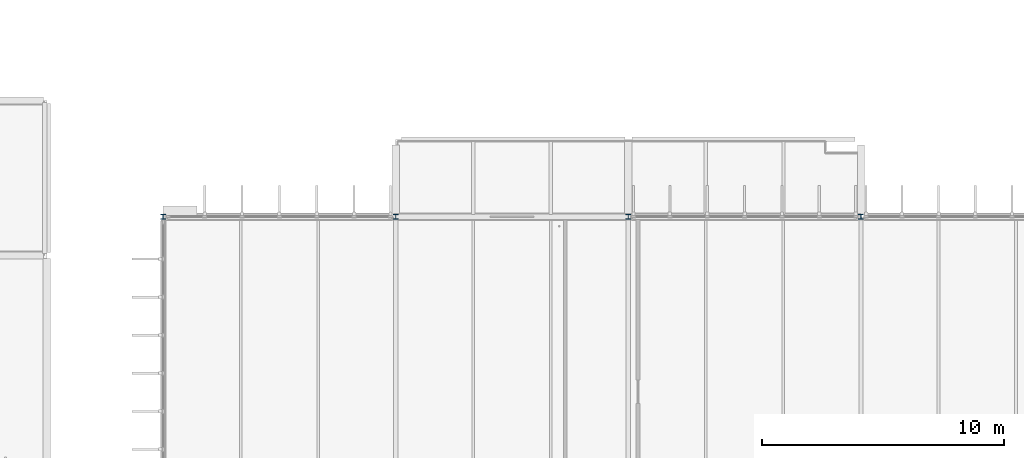
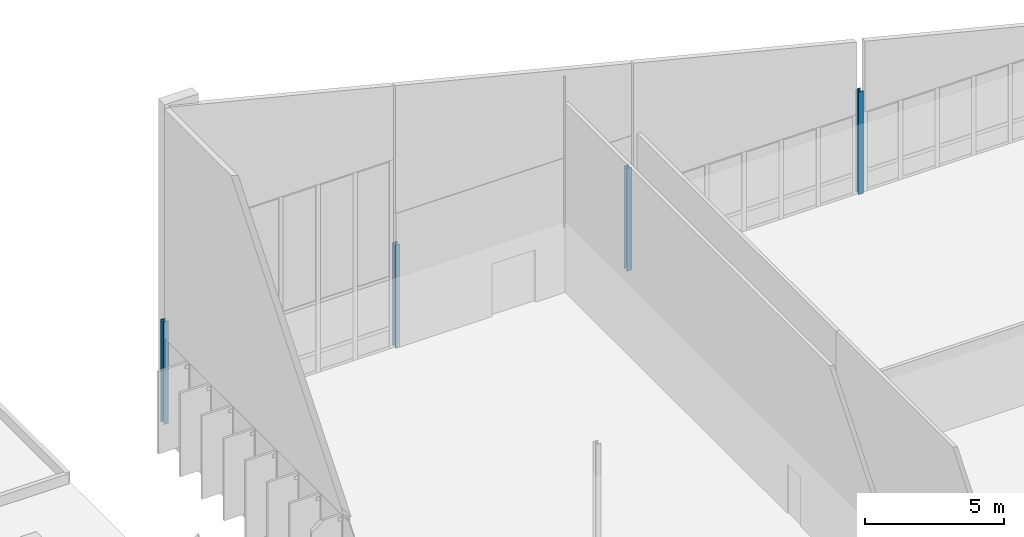
# One storey, part 16 of 110: 4 columns.
"""IFC4 building model written with IfcOpenShell, lengths in metres."""

from ifc_helpers import new_model, si_unit, direction, frame, origin, origin_2d, place, context, subcontext, project, spatial, i_section, extrude, material, material_profile, profile_set, type_object, element, save


model = new_model("IFC4")

# Units and contexts
model_context = context("Model", 3, precision=1e-05, world=origin(), true_north=direction((0.0, 1.0)))
body_context = subcontext(model_context, "Body", "Model", "MODEL_VIEW")
ifc_project = project(units=[si_unit("LENGTHUNIT", "METRE"), si_unit("AREAUNIT", "SQUARE_METRE"), si_unit("VOLUMEUNIT", "CUBIC_METRE"), si_unit("PLANEANGLEUNIT", "RADIAN"), si_unit("MASSUNIT", "GRAM", prefix="KILO")], contexts=[model_context])

# Site, building, storey
site_placement = place(None, origin())
site = spatial("IfcSite", under=ifc_project, at=site_placement, CompositionType="ELEMENT")
building_placement = place(site_placement, origin())
building = spatial("IfcBuilding", under=site, at=building_placement, Name="Dunescarp Central Library", CompositionType="ELEMENT")
storey_placement = place(building_placement, frame((0.0, 0.0, 9.60009765625)))
storey = spatial("IfcBuildingStorey", under=building, at=storey_placement, Name="L02", CompositionType="ELEMENT", Elevation=9.60009765625)

# Columns
ifc_material = material(Name="Steel S355JR", Category="steel")
ifc_material_profile = material_profile(ifc_material, i_section(OverallWidth=0.206298828125, OverallDepth=0.2158203125, WebThickness=0.010009765625, FlangeThickness=0.017333984375, at=origin_2d()), Name="UC 203x203x71")
ifc_profile_set = profile_set([ifc_material_profile], Name="Steel S355JR")
column_type = type_object("IfcColumnType", Name="STR-COL-UC203X71", PredefinedType="COLUMN", material=ifc_profile_set)
for number, where, z_axis, x_axis, name in (
    (1, (129.60009765625, 44.800048828125, 0.0), (0.0, 0.0, 1.0), (1.0, 0.0, 0.0), "L02 column V5-1296-448"),
    (2, (139.199951171875, 44.800048828125, 0.0), (0.0, 0.0, 1.0), (1.0, 0.0, 0.0), "L02 column V5-1392-448"),
    (3, (148.800048828125, 44.800048828125, 0.0), (0.0, 0.0, 1.0), (1.0, 0.0, 0.0), "L02 column V5-1488-448"),
    (4, (158.39990234375, 44.800048828125, 0.0), (0.0, 0.0, 1.0), (1.0, 0.0, 0.0), "L02 column V5-1584-448"),
):
    element("IfcColumn", number, at=place(storey_placement, frame(where, z_axis=z_axis, x_axis=x_axis)), inside=storey, type_object=column_type, Name=name, PredefinedType="COLUMN", context=body_context, shape_type="SweptSolid", body=[
        extrude(i_section(OverallWidth=0.206298828125, OverallDepth=0.2158203125, WebThickness=0.010009765625, FlangeThickness=0.017333984375, at=origin_2d()), origin(), (0.0, 0.0, 1.0), 4.5),
    ])

save(model, "model.ifc")
